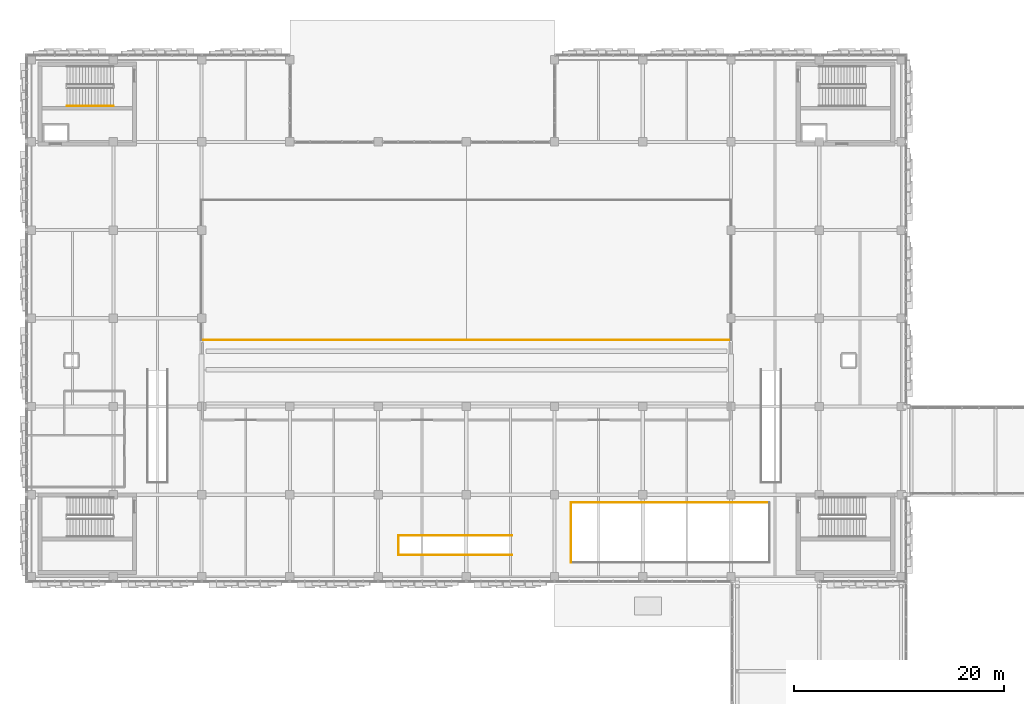
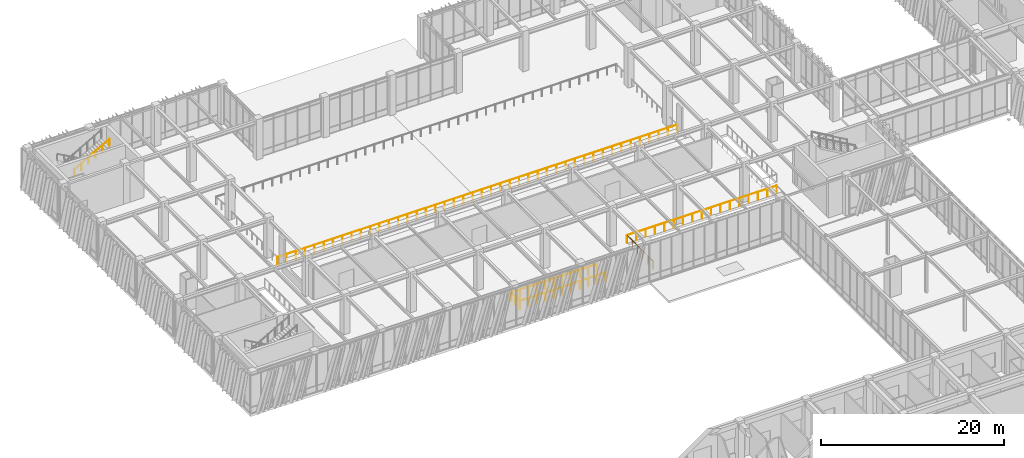
# One storey, part 129 of 139: 7 railings.
"""IFC4 building model written with IfcOpenShell, lengths in metres."""

from ifc_helpers import new_model, si_unit, direction, frame, origin, origin_2d, place, context, subcontext, project, spatial, circle, extrude, material, type_object, element, save


model = new_model("IFC4")

# Units and contexts
model_context = context("Model", 3, precision=1e-05, world=origin(), true_north=direction((0.0, 1.0)))
body_context = subcontext(model_context, "Body", "Model", "MODEL_VIEW")
ifc_project = project(units=[si_unit("LENGTHUNIT", "METRE"), si_unit("AREAUNIT", "SQUARE_METRE"), si_unit("VOLUMEUNIT", "CUBIC_METRE"), si_unit("PLANEANGLEUNIT", "RADIAN"), si_unit("MASSUNIT", "GRAM", prefix="KILO")], contexts=[model_context])

# Site, building, storey
site_placement = place(None, origin())
site = spatial("IfcSite", under=ifc_project, at=site_placement, CompositionType="ELEMENT")
building_placement = place(site_placement, origin())
building = spatial("IfcBuilding", under=site, at=building_placement, Name="Zayran Congress Hotel", CompositionType="ELEMENT")
storey_placement = place(building_placement, frame((0.0, 0.0, 5.39990234375)))
storey = spatial("IfcBuildingStorey", under=building, at=storey_placement, Name="L01", CompositionType="ELEMENT", Elevation=5.39990234375)

# Railings
ifc_material_1 = material(Name="Painted steel balustrade", Category="steel")
railing_type_1 = type_object("IfcRailingType", Name="TP-GRD-INT", PredefinedType="GUARDRAIL", material=ifc_material_1)
railing_1_placement = place(storey_placement, frame((54.75, 72.139892578125, 0.0)))
element("IfcRailing", 1, at=railing_1_placement, inside=storey, type_object=railing_type_1, Name="GRD-VOMWELL-03-WL", PredefinedType="GUARDRAIL", context=body_context, shape_type="SweptSolid", body=[
    extrude(circle(Radius=0.02392578125, at=origin_2d()), frame((0.0, 0.0, 1.076171875), z_axis=(-1.0, 0.0, 0.0), x_axis=(0.0, -1.0, 0.0)), (0.0, 0.0, 1.0), 10.800048828125),
    extrude(circle(Radius=0.02099609375, at=origin_2d()), origin(), (0.0, 0.0, 1.0), 1.052001953125),
    extrude(circle(Radius=0.02099609375, at=origin_2d()), frame((-1.080078125, 0.0, 0.0)), (0.0, 0.0, 1.0), 1.052001953125),
    extrude(circle(Radius=0.02099609375, at=origin_2d()), frame((-2.159912109375, 0.0, 0.0)), (0.0, 0.0, 1.0), 1.052001953125),
    extrude(circle(Radius=0.02099609375, at=origin_2d()), frame((-3.239990234375, 0.0, 0.0)), (0.0, 0.0, 1.0), 1.052001953125),
    extrude(circle(Radius=0.02099609375, at=origin_2d()), frame((-4.320068359375, 0.0, 0.0)), (0.0, 0.0, 1.0), 1.052001953125),
    extrude(circle(Radius=0.02099609375, at=origin_2d()), frame((-5.39990234375, 0.0, 0.0)), (0.0, 0.0, 1.0), 1.052001953125),
    extrude(circle(Radius=0.02099609375, at=origin_2d()), frame((-6.47998046875, 0.0, 0.0)), (0.0, 0.0, 1.0), 1.052001953125),
    extrude(circle(Radius=0.02099609375, at=origin_2d()), frame((-7.56005859375, 0.0, 0.0)), (0.0, 0.0, 1.0), 1.052001953125),
    extrude(circle(Radius=0.02099609375, at=origin_2d()), frame((-8.64013671875, 0.0, 0.0)), (0.0, 0.0, 1.0), 1.052001953125),
    extrude(circle(Radius=0.02099609375, at=origin_2d()), frame((-9.719970703125, 0.0, 0.0)), (0.0, 0.0, 1.0), 1.052001953125),
    extrude(circle(Radius=0.02099609375, at=origin_2d()), frame((-10.800048828125, 0.0, 0.0)), (0.0, 0.0, 1.0), 1.052001953125),
])
railing_2_placement = place(storey_placement, frame((43.949951171875, 72.139892578125, 0.0)))
element("IfcRailing", 2, at=railing_2_placement, inside=storey, type_object=railing_type_1, Name="GRD-VOMWELL-03-WB", PredefinedType="GUARDRAIL", context=body_context, shape_type="SweptSolid", body=[
    extrude(circle(Radius=0.02392578125, at=origin_2d()), frame((0.0, 0.0, 1.076171875), z_axis=(0.0, -1.0, 0.0), x_axis=(1.0, 0.0, 0.0)), (0.0, 0.0, 1.0), 1.8798828125),
    extrude(circle(Radius=0.02099609375, at=origin_2d()), origin(), (0.0, 0.0, 1.0), 1.052001953125),
    extrude(circle(Radius=0.02099609375, at=origin_2d()), frame((0.0, -0.93994140625, 0.0)), (0.0, 0.0, 1.0), 1.052001953125),
    extrude(circle(Radius=0.02099609375, at=origin_2d()), frame((0.0, -1.8798828125, 0.0)), (0.0, 0.0, 1.0), 1.052001953125),
])
railing_3_placement = place(storey_placement, frame((43.949951171875, 70.260009765625, 0.0)))
element("IfcRailing", 3, at=railing_3_placement, inside=storey, type_object=railing_type_1, Name="GRD-VOMWELL-03-WR", PredefinedType="GUARDRAIL", context=body_context, shape_type="SweptSolid", body=[
    extrude(circle(Radius=0.02392578125, at=origin_2d()), frame((0.0, 0.0, 1.076171875), z_axis=(1.0, 0.0, 0.0), x_axis=(0.0, 1.0, 0.0)), (0.0, 0.0, 1.0), 10.800048828125),
    extrude(circle(Radius=0.02099609375, at=origin_2d()), origin(), (0.0, 0.0, 1.0), 1.052001953125),
    extrude(circle(Radius=0.02099609375, at=origin_2d()), frame((1.080078125, 0.0, 0.0)), (0.0, 0.0, 1.0), 1.052001953125),
    extrude(circle(Radius=0.02099609375, at=origin_2d()), frame((2.159912109375, 0.0, 0.0)), (0.0, 0.0, 1.0), 1.052001953125),
    extrude(circle(Radius=0.02099609375, at=origin_2d()), frame((3.239990234375, 0.0, 0.0)), (0.0, 0.0, 1.0), 1.052001953125),
    extrude(circle(Radius=0.02099609375, at=origin_2d()), frame((4.320068359375, 0.0, 0.0)), (0.0, 0.0, 1.0), 1.052001953125),
    extrude(circle(Radius=0.02099609375, at=origin_2d()), frame((5.39990234375, 0.0, 0.0)), (0.0, 0.0, 1.0), 1.052001953125),
    extrude(circle(Radius=0.02099609375, at=origin_2d()), frame((6.47998046875, 0.0, 0.0)), (0.0, 0.0, 1.0), 1.052001953125),
    extrude(circle(Radius=0.02099609375, at=origin_2d()), frame((7.56005859375, 0.0, 0.0)), (0.0, 0.0, 1.0), 1.052001953125),
    extrude(circle(Radius=0.02099609375, at=origin_2d()), frame((8.64013671875, 0.0, 0.0)), (0.0, 0.0, 1.0), 1.052001953125),
    extrude(circle(Radius=0.02099609375, at=origin_2d()), frame((9.719970703125, 0.0, 0.0)), (0.0, 0.0, 1.0), 1.052001953125),
    extrude(circle(Radius=0.02099609375, at=origin_2d()), frame((10.800048828125, 0.0, 0.0)), (0.0, 0.0, 1.0), 1.052001953125),
])
railing_4_placement = place(storey_placement, frame((25.14990234375, 90.75, 0.0)))
element("IfcRailing", 4, at=railing_4_placement, inside=storey, type_object=railing_type_1, Name="V1 L01 Interior Void Guardrail V1-L01-AUD-S", PredefinedType="GUARDRAIL", context=body_context, shape_type="SweptSolid", body=[
    extrude(circle(Radius=0.02392578125, at=origin_2d()), frame((0.0, 0.0, 1.076171875), z_axis=(1.0, 0.0, 0.0), x_axis=(0.0, 1.0, 0.0)), (0.0, 0.0, 1.0), 50.5),
    extrude(circle(Radius=0.02099609375, at=origin_2d()), origin(), (0.0, 0.0, 1.0), 1.052001953125),
    extrude(circle(Radius=0.02099609375, at=origin_2d()), frame((1.17431640625, 0.0, 0.0)), (0.0, 0.0, 1.0), 1.052001953125),
    extrude(circle(Radius=0.02099609375, at=origin_2d()), frame((2.348876953125, 0.0, 0.0)), (0.0, 0.0, 1.0), 1.052001953125),
    extrude(circle(Radius=0.02099609375, at=origin_2d()), frame((3.523193359375, 0.0, 0.0)), (0.0, 0.0, 1.0), 1.052001953125),
    extrude(circle(Radius=0.02099609375, at=origin_2d()), frame((4.69775390625, 0.0, 0.0)), (0.0, 0.0, 1.0), 1.052001953125),
    extrude(circle(Radius=0.02099609375, at=origin_2d()), frame((5.8720703125, 0.0, 0.0)), (0.0, 0.0, 1.0), 1.052001953125),
    extrude(circle(Radius=0.02099609375, at=origin_2d()), frame((7.046630859375, 0.0, 0.0)), (0.0, 0.0, 1.0), 1.052001953125),
    extrude(circle(Radius=0.02099609375, at=origin_2d()), frame((8.220947265625, 0.0, 0.0)), (0.0, 0.0, 1.0), 1.052001953125),
    extrude(circle(Radius=0.02099609375, at=origin_2d()), frame((9.395263671875, 0.0, 0.0)), (0.0, 0.0, 1.0), 1.052001953125),
    extrude(circle(Radius=0.02099609375, at=origin_2d()), frame((10.56982421875, 0.0, 0.0)), (0.0, 0.0, 1.0), 1.052001953125),
    extrude(circle(Radius=0.02099609375, at=origin_2d()), frame((11.744140625, 0.0, 0.0)), (0.0, 0.0, 1.0), 1.052001953125),
    extrude(circle(Radius=0.02099609375, at=origin_2d()), frame((12.918701171875, 0.0, 0.0)), (0.0, 0.0, 1.0), 1.052001953125),
    extrude(circle(Radius=0.02099609375, at=origin_2d()), frame((14.093017578125, 0.0, 0.0)), (0.0, 0.0, 1.0), 1.052001953125),
    extrude(circle(Radius=0.02099609375, at=origin_2d()), frame((15.267333984375, 0.0, 0.0)), (0.0, 0.0, 1.0), 1.052001953125),
    extrude(circle(Radius=0.02099609375, at=origin_2d()), frame((16.44189453125, 0.0, 0.0)), (0.0, 0.0, 1.0), 1.052001953125),
    extrude(circle(Radius=0.02099609375, at=origin_2d()), frame((17.6162109375, 0.0, 0.0)), (0.0, 0.0, 1.0), 1.052001953125),
    extrude(circle(Radius=0.02099609375, at=origin_2d()), frame((18.790771484375, 0.0, 0.0)), (0.0, 0.0, 1.0), 1.052001953125),
    extrude(circle(Radius=0.02099609375, at=origin_2d()), frame((19.965087890625, 0.0, 0.0)), (0.0, 0.0, 1.0), 1.052001953125),
    extrude(circle(Radius=0.02099609375, at=origin_2d()), frame((21.1396484375, 0.0, 0.0)), (0.0, 0.0, 1.0), 1.052001953125),
    extrude(circle(Radius=0.02099609375, at=origin_2d()), frame((22.31396484375, 0.0, 0.0)), (0.0, 0.0, 1.0), 1.052001953125),
    extrude(circle(Radius=0.02099609375, at=origin_2d()), frame((23.48828125, 0.0, 0.0)), (0.0, 0.0, 1.0), 1.052001953125),
    extrude(circle(Radius=0.02099609375, at=origin_2d()), frame((24.662841796875, 0.0, 0.0)), (0.0, 0.0, 1.0), 1.052001953125),
    extrude(circle(Radius=0.02099609375, at=origin_2d()), frame((25.837158203125, 0.0, 0.0)), (0.0, 0.0, 1.0), 1.052001953125),
    extrude(circle(Radius=0.02099609375, at=origin_2d()), frame((27.01171875, 0.0, 0.0)), (0.0, 0.0, 1.0), 1.052001953125),
    extrude(circle(Radius=0.02099609375, at=origin_2d()), frame((28.18603515625, 0.0, 0.0)), (0.0, 0.0, 1.0), 1.052001953125),
    extrude(circle(Radius=0.02099609375, at=origin_2d()), frame((29.3603515625, 0.0, 0.0)), (0.0, 0.0, 1.0), 1.052001953125),
    extrude(circle(Radius=0.02099609375, at=origin_2d()), frame((30.534912109375, 0.0, 0.0)), (0.0, 0.0, 1.0), 1.052001953125),
    extrude(circle(Radius=0.02099609375, at=origin_2d()), frame((31.709228515625, 0.0, 0.0)), (0.0, 0.0, 1.0), 1.052001953125),
    extrude(circle(Radius=0.02099609375, at=origin_2d()), frame((32.8837890625, 0.0, 0.0)), (0.0, 0.0, 1.0), 1.052001953125),
    extrude(circle(Radius=0.02099609375, at=origin_2d()), frame((34.05810546875, 0.0, 0.0)), (0.0, 0.0, 1.0), 1.052001953125),
    extrude(circle(Radius=0.02099609375, at=origin_2d()), frame((35.232666015625, 0.0, 0.0)), (0.0, 0.0, 1.0), 1.052001953125),
    extrude(circle(Radius=0.02099609375, at=origin_2d()), frame((36.406982421875, 0.0, 0.0)), (0.0, 0.0, 1.0), 1.052001953125),
    extrude(circle(Radius=0.02099609375, at=origin_2d()), frame((37.581298828125, 0.0, 0.0)), (0.0, 0.0, 1.0), 1.052001953125),
    extrude(circle(Radius=0.02099609375, at=origin_2d()), frame((38.755859375, 0.0, 0.0)), (0.0, 0.0, 1.0), 1.052001953125),
    extrude(circle(Radius=0.02099609375, at=origin_2d()), frame((39.93017578125, 0.0, 0.0)), (0.0, 0.0, 1.0), 1.052001953125),
    extrude(circle(Radius=0.02099609375, at=origin_2d()), frame((41.104736328125, 0.0, 0.0)), (0.0, 0.0, 1.0), 1.052001953125),
    extrude(circle(Radius=0.02099609375, at=origin_2d()), frame((42.279052734375, 0.0, 0.0)), (0.0, 0.0, 1.0), 1.052001953125),
    extrude(circle(Radius=0.02099609375, at=origin_2d()), frame((43.453369140625, 0.0, 0.0)), (0.0, 0.0, 1.0), 1.052001953125),
    extrude(circle(Radius=0.02099609375, at=origin_2d()), frame((44.6279296875, 0.0, 0.0)), (0.0, 0.0, 1.0), 1.052001953125),
    extrude(circle(Radius=0.02099609375, at=origin_2d()), frame((45.80224609375, 0.0, 0.0)), (0.0, 0.0, 1.0), 1.052001953125),
    extrude(circle(Radius=0.02099609375, at=origin_2d()), frame((46.976806640625, 0.0, 0.0)), (0.0, 0.0, 1.0), 1.052001953125),
    extrude(circle(Radius=0.02099609375, at=origin_2d()), frame((48.151123046875, 0.0, 0.0)), (0.0, 0.0, 1.0), 1.052001953125),
    extrude(circle(Radius=0.02099609375, at=origin_2d()), frame((49.32568359375, 0.0, 0.0)), (0.0, 0.0, 1.0), 1.052001953125),
    extrude(circle(Radius=0.02099609375, at=origin_2d()), frame((50.5, 0.0, 0.0)), (0.0, 0.0, 1.0), 1.052001953125),
])
railing_5_placement = place(storey_placement, frame((79.25, 75.25, 0.0)))
element("IfcRailing", 5, at=railing_5_placement, inside=storey, type_object=railing_type_1, Name="V1 L01 Interior Void Guardrail V1-L01-FOY-N", PredefinedType="GUARDRAIL", context=body_context, shape_type="SweptSolid", body=[
    extrude(circle(Radius=0.02392578125, at=origin_2d()), frame((0.0, 0.0, 1.076171875), z_axis=(-1.0, 0.0, 0.0), x_axis=(0.0, -1.0, 0.0)), (0.0, 0.0, 1.0), 18.89990234375),
    extrude(circle(Radius=0.02099609375, at=origin_2d()), origin(), (0.0, 0.0, 1.0), 1.052001953125),
    extrude(circle(Radius=0.02099609375, at=origin_2d()), frame((-1.18115234375, 0.0, 0.0)), (0.0, 0.0, 1.0), 1.052001953125),
    extrude(circle(Radius=0.02099609375, at=origin_2d()), frame((-2.362548828125, 0.0, 0.0)), (0.0, 0.0, 1.0), 1.052001953125),
    extrude(circle(Radius=0.02099609375, at=origin_2d()), frame((-3.543701171875, 0.0, 0.0)), (0.0, 0.0, 1.0), 1.052001953125),
    extrude(circle(Radius=0.02099609375, at=origin_2d()), frame((-4.72509765625, 0.0, 0.0)), (0.0, 0.0, 1.0), 1.052001953125),
    extrude(circle(Radius=0.02099609375, at=origin_2d()), frame((-5.90625, 0.0, 0.0)), (0.0, 0.0, 1.0), 1.052001953125),
    extrude(circle(Radius=0.02099609375, at=origin_2d()), frame((-7.08740234375, 0.0, 0.0)), (0.0, 0.0, 1.0), 1.052001953125),
    extrude(circle(Radius=0.02099609375, at=origin_2d()), frame((-8.268798828125, 0.0, 0.0)), (0.0, 0.0, 1.0), 1.052001953125),
    extrude(circle(Radius=0.02099609375, at=origin_2d()), frame((-9.449951171875, 0.0, 0.0)), (0.0, 0.0, 1.0), 1.052001953125),
    extrude(circle(Radius=0.02099609375, at=origin_2d()), frame((-10.631103515625, 0.0, 0.0)), (0.0, 0.0, 1.0), 1.052001953125),
    extrude(circle(Radius=0.02099609375, at=origin_2d()), frame((-11.8125, 0.0, 0.0)), (0.0, 0.0, 1.0), 1.052001953125),
    extrude(circle(Radius=0.02099609375, at=origin_2d()), frame((-12.99365234375, 0.0, 0.0)), (0.0, 0.0, 1.0), 1.052001953125),
    extrude(circle(Radius=0.02099609375, at=origin_2d()), frame((-14.1748046875, 0.0, 0.0)), (0.0, 0.0, 1.0), 1.052001953125),
    extrude(circle(Radius=0.02099609375, at=origin_2d()), frame((-15.356201171875, 0.0, 0.0)), (0.0, 0.0, 1.0), 1.052001953125),
    extrude(circle(Radius=0.02099609375, at=origin_2d()), frame((-16.537353515625, 0.0, 0.0)), (0.0, 0.0, 1.0), 1.052001953125),
    extrude(circle(Radius=0.02099609375, at=origin_2d()), frame((-17.71875, 0.0, 0.0)), (0.0, 0.0, 1.0), 1.052001953125),
    extrude(circle(Radius=0.02099609375, at=origin_2d()), frame((-18.89990234375, 0.0, 0.0)), (0.0, 0.0, 1.0), 1.052001953125),
])
railing_6_placement = place(storey_placement, frame((60.35009765625, 75.25, 0.0)))
element("IfcRailing", 6, at=railing_6_placement, inside=storey, type_object=railing_type_1, Name="V1 L01 Interior Void Guardrail V1-L01-FOY-W", PredefinedType="GUARDRAIL", context=body_context, shape_type="SweptSolid", body=[
    extrude(circle(Radius=0.02392578125, at=origin_2d()), frame((0.0, 0.0, 1.076171875), z_axis=(0.0, -1.0, 0.0), x_axis=(1.0, 0.0, 0.0)), (0.0, 0.0, 1.0), 5.699951171875),
    extrude(circle(Radius=0.02099609375, at=origin_2d()), origin(), (0.0, 0.0, 1.0), 1.052001953125),
    extrude(circle(Radius=0.02099609375, at=origin_2d()), frame((0.0, -1.139892578125, 0.0)), (0.0, 0.0, 1.0), 1.052001953125),
    extrude(circle(Radius=0.02099609375, at=origin_2d()), frame((0.0, -2.280029296875, 0.0)), (0.0, 0.0, 1.0), 1.052001953125),
    extrude(circle(Radius=0.02099609375, at=origin_2d()), frame((0.0, -3.419921875, 0.0)), (0.0, 0.0, 1.0), 1.052001953125),
    extrude(circle(Radius=0.02099609375, at=origin_2d()), frame((0.0, -4.56005859375, 0.0)), (0.0, 0.0, 1.0), 1.052001953125),
    extrude(circle(Radius=0.02099609375, at=origin_2d()), frame((0.0, -5.699951171875, 0.0)), (0.0, 0.0, 1.0), 1.052001953125),
])
ifc_material_2 = material(Name="Brushed stainless steel handrail", Category="steel")
railing_type_2 = type_object("IfcRailingType", Name="TP-HND-STR", PredefinedType="HANDRAIL", material=ifc_material_2)
railing_7_placement = place(storey_placement, frame((12.375, 113.010009765625, 2.868896484375)))
element("IfcRailing", 7, at=railing_7_placement, inside=storey, type_object=railing_type_2, Name="L01 ST-03 stair handrail 2", PredefinedType="HANDRAIL", context=body_context, shape_type="SweptSolid", body=[
    extrude(circle(Radius=0.02392578125, at=origin_2d()), frame((0.0, 0.0, 0.8759765625), z_axis=(0.868019072493, 0.0, 0.49653085482), x_axis=(0.0, 1.0, 0.0)), (0.0, 0.0, 1.0), 5.097900390625),
    extrude(circle(Radius=0.02099609375, at=origin_2d()), origin(), (0.0, 0.0, 1.0), 0.851806640625),
    extrude(circle(Radius=0.02099609375, at=origin_2d()), frame((0.885009765625, 0.0, 0.50634765625)), (0.0, 0.0, 1.0), 0.851806640625),
    extrude(circle(Radius=0.02099609375, at=origin_2d()), frame((1.77001953125, 0.0, 1.012451171875)), (0.0, 0.0, 1.0), 0.851806640625),
    extrude(circle(Radius=0.02099609375, at=origin_2d()), frame((2.655029296875, 0.0, 1.518798828125)), (0.0, 0.0, 1.0), 0.851806640625),
    extrude(circle(Radius=0.02099609375, at=origin_2d()), frame((3.5400390625, 0.0, 2.02490234375)), (0.0, 0.0, 1.0), 0.851806640625),
    extrude(circle(Radius=0.02099609375, at=origin_2d()), frame((4.425048828125, 0.0, 2.53125)), (0.0, 0.0, 1.0), 0.851806640625),
])

save(model, "model.ifc")
